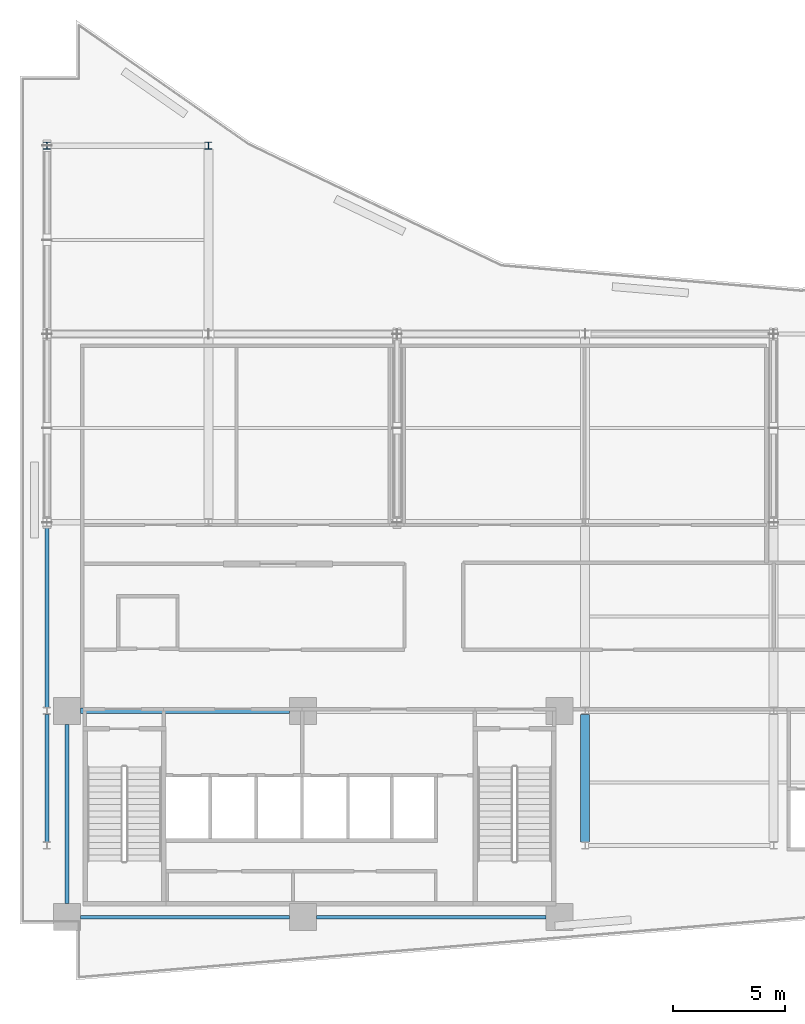
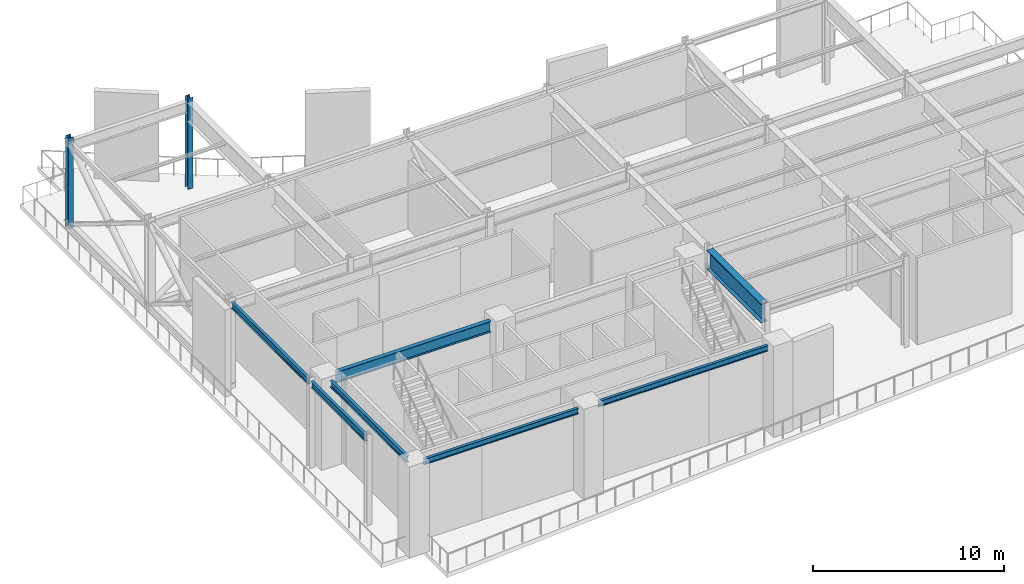
# One storey, part 3 of 13: 7 beams, 2 columns.
"""IFC4 building model written with IfcOpenShell, lengths in metres."""

from ifc_helpers import new_model, si_unit, direction, frame, origin, origin_2d, place, context, subcontext, project, spatial, i_section, extrude, material, material_profile, profile_set, type_object, element, save


model = new_model("IFC4")

# Units and contexts
model_context = context("Model", 3, precision=1e-05, world=origin(), true_north=direction((0.0, 1.0)))
body_context = subcontext(model_context, "Body", "Model", "MODEL_VIEW")
ifc_project = project(units=[si_unit("LENGTHUNIT", "METRE"), si_unit("AREAUNIT", "SQUARE_METRE"), si_unit("VOLUMEUNIT", "CUBIC_METRE"), si_unit("PLANEANGLEUNIT", "RADIAN"), si_unit("MASSUNIT", "GRAM", prefix="KILO")], contexts=[model_context])

# Site, building, storey
site_placement = place(None, origin())
site = spatial("IfcSite", under=ifc_project, at=site_placement, CompositionType="ELEMENT")
building_placement = place(site_placement, origin())
building = spatial("IfcBuilding", under=site, at=building_placement, Name="Varnakote Quay Hospital", CompositionType="ELEMENT")
storey_placement = place(building_placement, frame((0.0, 0.0, 174.449951171875)))
storey = spatial("IfcBuildingStorey", under=building, at=storey_placement, Name="L43", CompositionType="ELEMENT", Elevation=174.449951171875)

# Columns
ifc_material_1 = material(Name="Structural steel AS/NZS 3679.1 Grade 350 L0 (fy 340 MPa)", Category="steel")
ifc_material_profile_1 = material_profile(ifc_material_1, i_section(OverallWidth=0.306884765625, OverallDepth=0.31494140625, WebThickness=0.011962890625, FlangeThickness=0.018798828125, FilletRadius=0.0166015625, at=origin_2d()), Name="310UC118")
ifc_profile_set_1 = profile_set([ifc_material_profile_1], Name="Structural steel AS/NZS 3679.1 Grade 350 L0 (fy 340 MPa)")
column_type = type_object("IfcColumnType", Name="COL-STL-310UC118", PredefinedType="COLUMN", material=ifc_profile_set_1)
for number, where, z_axis, x_axis, name in (
    (1, (1.199951171875, 37.199951171875, 0.0), (0.0, 0.0, 1.0), (1.0, 0.0, 0.0), "L43 Structural Column C-1-37"),
    (2, (8.39990234375, 37.199951171875, 0.0), (0.0, 0.0, 1.0), (1.0, 0.0, 0.0), "L43 Structural Column C-8-37"),
):
    element("IfcColumn", number, at=place(storey_placement, frame(where, z_axis=z_axis, x_axis=x_axis)), inside=storey, type_object=column_type, Name=name, PredefinedType="COLUMN", context=body_context, shape_type="SweptSolid", body=[
        extrude(i_section(OverallWidth=0.306884765625, OverallDepth=0.31494140625, WebThickness=0.011962890625, FlangeThickness=0.018798828125, FilletRadius=0.0166015625, at=origin_2d()), origin(), (0.0, 0.0, 1.0), 5.800048828125),
    ])

# Beams
ifc_material_2 = material(Name="Structural steel AS/NZS 3678 Grade 350 (fy 340 MPa)", Category="steel")
ifc_material_profile_2 = material_profile(ifc_material_2, i_section(OverallWidth=0.39990234375, OverallDepth=1.2099609375, WebThickness=0.01611328125, FlangeThickness=0.0400390625, at=origin_2d()), Name="1200WB392")
ifc_profile_set_2 = profile_set([ifc_material_profile_2], Name="Structural steel AS/NZS 3678 Grade 350 (fy 340 MPa)")
beam_type_1 = type_object("IfcBeamType", Name="BM-STL-1200WB392", PredefinedType="BEAM", material=ifc_profile_set_2)
beam_1_placement = place(storey_placement, frame((25.199951171875, 6.157470703125, 4.955078125), z_axis=(0.0, 1.0, 0.0), x_axis=(-1.0, 0.0, 0.0)))
element("IfcBeam", 3, at=beam_1_placement, inside=storey, type_object=beam_type_1, Name="L43 Primary Tie Beam", PredefinedType="BEAM", context=body_context, shape_type="SweptSolid", body=[
    extrude(i_section(OverallWidth=0.39990234375, OverallDepth=1.2099609375, WebThickness=0.01611328125, FlangeThickness=0.0400390625, at=origin_2d()), origin(), (0.0, 0.0, 1.0), 5.68505859375),
])
ifc_material_3 = material(Name="Structural steel AS/NZS 3678 Grade 350 (fy 340 MPa)", Category="steel")
ifc_material_profile_3 = material_profile(ifc_material_3, i_section(OverallWidth=0.25, OverallDepth=0.699951171875, WebThickness=0.010009765625, FlangeThickness=0.02001953125, at=origin_2d()), Name="700WB130")
ifc_profile_set_3 = profile_set([ifc_material_profile_3], Name="Structural steel AS/NZS 3678 Grade 350 (fy 340 MPa)")
beam_type_2 = type_object("IfcBeamType", Name="BM-STL-700WB130", PredefinedType="BEAM", material=ifc_profile_set_3)
beam_2_placement = place(storey_placement, frame((2.699951171875, 12.0, 5.2099609375), z_axis=(1.0, 0.0, 0.0), x_axis=(0.0, 1.0, 0.0)))
element("IfcBeam", 4, at=beam_2_placement, inside=storey, type_object=beam_type_2, Name="L43 Primary Floor Beam", PredefinedType="BEAM", context=body_context, shape_type="SweptSolid", body=[
    extrude(i_section(OverallWidth=0.25, OverallDepth=0.699951171875, WebThickness=0.010009765625, FlangeThickness=0.02001953125, at=origin_2d()), origin(), (0.0, 0.0, 1.0), 9.320068359375),
])
ifc_material_4 = material(Name="Structural steel AS/NZS 3679.1 Grade 350 L0 (fy 340 MPa)", Category="steel")
ifc_material_profile_4 = material_profile(ifc_material_4, i_section(OverallWidth=0.172119140625, OverallDepth=0.35888671875, WebThickness=0.008056640625, FlangeThickness=0.012939453125, FilletRadius=0.011474609375, at=origin_2d()), Name="360UB56.7")
ifc_profile_set_4 = profile_set([ifc_material_profile_4], Name="Structural steel AS/NZS 3679.1 Grade 350 L0 (fy 340 MPa)")
beam_type_3 = type_object("IfcBeamType", Name="SPN-STL-360UB56-7", PredefinedType="SPANDREL", material=ifc_profile_set_4)
beam_3_placement = place(storey_placement, frame((2.699951171875, 2.800048828125, 5.380615234375), z_axis=(1.0, 0.0, 0.0), x_axis=(0.0, 1.0, 0.0)))
element("IfcBeam", 5, at=beam_3_placement, inside=storey, type_object=beam_type_3, Name="L43 Perimeter Spandrel Beam", PredefinedType="SPANDREL", context=body_context, shape_type="SweptSolid", body=[
    extrude(i_section(OverallWidth=0.172119140625, OverallDepth=0.35888671875, WebThickness=0.008056640625, FlangeThickness=0.012939453125, FilletRadius=0.011474609375, at=origin_2d()), origin(), (0.0, 0.0, 1.0), 9.320068359375),
])
beam_4_placement = place(storey_placement, frame((13.219970703125, 2.800048828125, 5.380615234375), z_axis=(1.0, 0.0, 0.0), x_axis=(0.0, 1.0, 0.0)))
element("IfcBeam", 6, at=beam_4_placement, inside=storey, type_object=beam_type_3, Name="L43 Perimeter Spandrel Beam", PredefinedType="SPANDREL", context=body_context, shape_type="SweptSolid", body=[
    extrude(i_section(OverallWidth=0.172119140625, OverallDepth=0.35888671875, WebThickness=0.008056640625, FlangeThickness=0.012939453125, FilletRadius=0.011474609375, at=origin_2d()), origin(), (0.0, 0.0, 1.0), 10.22998046875),
])
ifc_material_5 = material(Name="Structural steel AS/NZS 3679.1 Grade 350 L0 (fy 340 MPa)", Category="steel")
ifc_material_profile_5 = material_profile(ifc_material_5, i_section(OverallWidth=0.177978515625, OverallDepth=0.403076171875, WebThickness=0.007568359375, FlangeThickness=0.010986328125, FilletRadius=0.011474609375, at=origin_2d()), Name="410UB53.7")
ifc_profile_set_5 = profile_set([ifc_material_profile_5], Name="Structural steel AS/NZS 3679.1 Grade 350 L0 (fy 340 MPa)")
beam_type_4 = type_object("IfcBeamType", Name="SPN-STL-410UB53-7", PredefinedType="SPANDREL", material=ifc_profile_set_5)
beam_5_placement = place(storey_placement, frame((1.199951171875, 6.157470703125, 5.358642578125), z_axis=(0.0, 1.0, 0.0), x_axis=(-1.0, 0.0, 0.0)))
element("IfcBeam", 7, at=beam_5_placement, inside=storey, type_object=beam_type_4, Name="L43 Perimeter Spandrel Beam", PredefinedType="SPANDREL", context=body_context, shape_type="SweptSolid", body=[
    extrude(i_section(OverallWidth=0.177978515625, OverallDepth=0.403076171875, WebThickness=0.007568359375, FlangeThickness=0.010986328125, FilletRadius=0.011474609375, at=origin_2d()), origin(), (0.0, 0.0, 1.0), 5.68505859375),
])
beam_6_placement = place(storey_placement, frame((1.199951171875, 12.157470703125, 5.358642578125), z_axis=(0.0, 1.0, 0.0), x_axis=(-1.0, 0.0, 0.0)))
element("IfcBeam", 8, at=beam_6_placement, inside=storey, type_object=beam_type_4, Name="L43 Perimeter Spandrel Beam", PredefinedType="SPANDREL", context=body_context, shape_type="SweptSolid", body=[
    extrude(i_section(OverallWidth=0.177978515625, OverallDepth=0.403076171875, WebThickness=0.007568359375, FlangeThickness=0.010986328125, FilletRadius=0.011474609375, at=origin_2d()), origin(), (0.0, 0.0, 1.0), 8.032470703125),
])
beam_7_placement = place(storey_placement, frame((2.10009765625, 3.39990234375, 5.358642578125), z_axis=(0.0, 1.0, 0.0), x_axis=(-1.0, 0.0, 0.0)))
element("IfcBeam", 9, at=beam_7_placement, inside=storey, type_object=beam_type_4, Name="L43 Perimeter Spandrel Beam", PredefinedType="SPANDREL", context=body_context, shape_type="SweptSolid", body=[
    extrude(i_section(OverallWidth=0.177978515625, OverallDepth=0.403076171875, WebThickness=0.007568359375, FlangeThickness=0.010986328125, FilletRadius=0.011474609375, at=origin_2d()), origin(), (0.0, 0.0, 1.0), 8.0),
])

save(model, "model.ifc")
